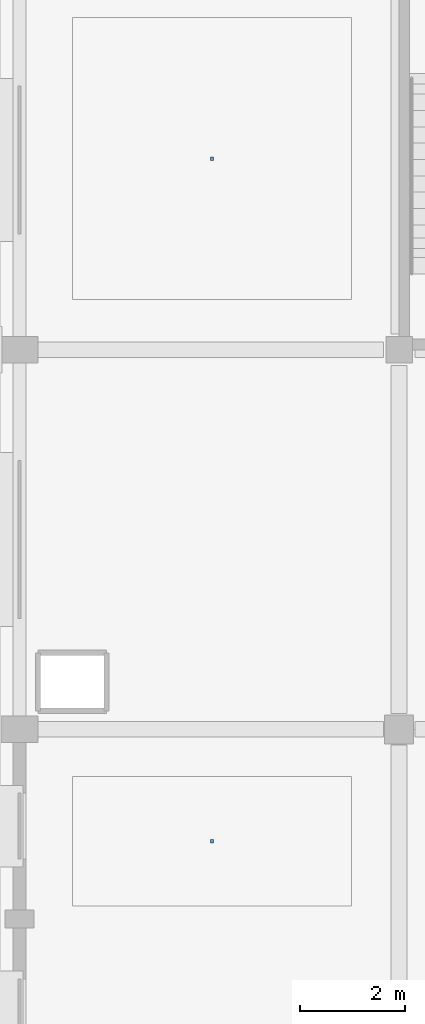
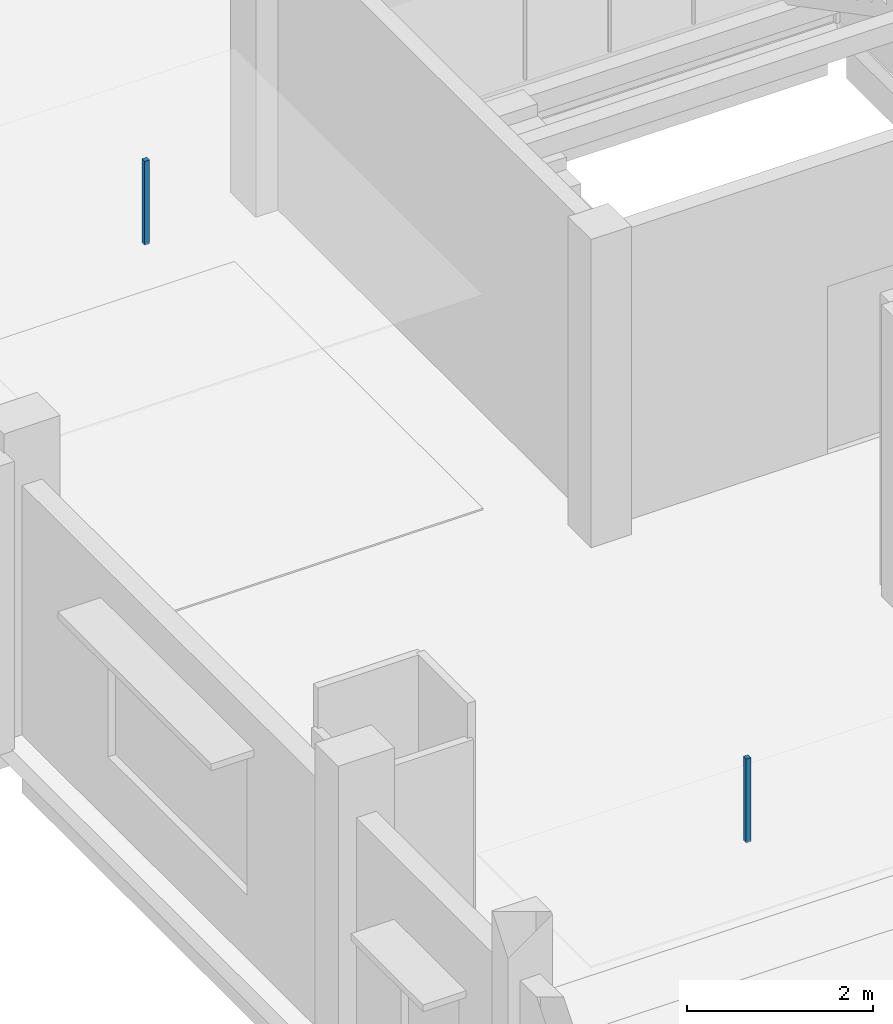
# One storey, part 13 of 15: 2 discrete accessories.
"""IFC4 building model written with IfcOpenShell, lengths in metres."""

import ifcopenshell
import ifcopenshell.guid

model = None  # the IFC model being written
_history = None  # IfcOwnerHistory: only IFC2X3 demands one
_inside = {}  # id of a spatial element -> (the spatial element, [elements in it])
_under = {}  # id of a project, library or spatial element -> (it, [spatial elements below it])
_declared = {}  # id of a project -> (the project, [libraries it declares])
_typed = {}  # id of a type object -> (the type object, [elements of that type])
_made_of = {}  # id of a material, layer set ... -> (it, [elements and type objects made of it])


def new_model(schema):
    """Start an empty IFC model of exactly this schema.

    Asked for "IFC4X3", IfcOpenShell would pick the latest addendum, in which some entities
    have other attributes; the version numbers below select the first issue.
    IFC2X3 requires an IfcOwnerHistory on every rooted entity: one is made here for all.
    """
    global model, _history
    if schema == "IFC4X3":
        model = ifcopenshell.file(schema_version=(4, 3, 0, 0))
    else:
        model = ifcopenshell.file(schema=schema)
    _inside.clear()
    _under.clear()
    _declared.clear()
    _typed.clear()
    _made_of.clear()
    _history = None
    if model.schema == "IFC2X3":
        org = make("IfcOrganization", Name="unknown")
        user = make(
            "IfcPersonAndOrganization",
            ThePerson=make("IfcPerson", FamilyName="unknown"),
            TheOrganization=org,
        )
        app = make(
            "IfcApplication",
            ApplicationDeveloper=org,
            Version="unknown",
            ApplicationFullName="unknown",
            ApplicationIdentifier="unknown",
        )
        _history = make(
            "IfcOwnerHistory",
            OwningUser=user,
            OwningApplication=app,
            ChangeAction="ADDED",
            CreationDate=0,
        )
    return model


def make(cls, **values):
    """One entity of the class cls with the attributes given. An attribute that is None is left unset."""
    return model.create_entity(
        cls, **{name: value for name, value in values.items() if value is not None}
    )


def rooted(cls, **values):
    """An entity with a GlobalId (a new one), such as an element, a storey or a relation."""
    return make(cls, GlobalId=ifcopenshell.guid.new(), OwnerHistory=_history, **values)


def si_unit(unit_type, name, prefix=None):
    """IfcSIUnit, for example si_unit("LENGTHUNIT", "METRE", prefix="MILLI")."""
    return make("IfcSIUnit", UnitType=unit_type, Prefix=prefix, Name=name)


def assignment(units):
    """IfcUnitAssignment: the units of a project."""
    return None if units is None else make("IfcUnitAssignment", Units=units)


def point(xyz):
    """IfcCartesianPoint."""
    return None if xyz is None else make("IfcCartesianPoint", Coordinates=xyz)


def direction(xyz):
    """IfcDirection."""
    return None if xyz is None else make("IfcDirection", DirectionRatios=xyz)


def frame(location, z_axis=None, x_axis=None):
    """IfcAxis2Placement3D, a coordinate frame: its origin and axes. An axis left out is left unset."""
    return make(
        "IfcAxis2Placement3D",
        Location=point(location),
        Axis=direction(z_axis),
        RefDirection=direction(x_axis),
    )


def frame_2d(location, x_axis=None):
    """IfcAxis2Placement2D, a coordinate frame in the plane: its origin and x axis."""
    return make(
        "IfcAxis2Placement2D", Location=point(location), RefDirection=direction(x_axis)
    )


def origin():
    """The frame at (0, 0, 0) with its axes left unset."""
    return frame((0.0, 0.0, 0.0))


def origin_2d():
    """The frame at (0, 0) in the plane with its x axis left unset."""
    return frame_2d((0.0, 0.0))


def place(relative_to, where):
    """IfcLocalPlacement: puts the frame where relative to a parent placement (None: the world)."""
    return make(
        "IfcLocalPlacement", PlacementRelTo=relative_to, RelativePlacement=where
    )


def context(
    kind, dimensions, precision=None, world=None, true_north=None, identifier=None
):
    """IfcGeometricRepresentationContext, for example the 3D "Model" context."""
    return make(
        "IfcGeometricRepresentationContext",
        ContextIdentifier=identifier,
        ContextType=kind,
        CoordinateSpaceDimension=dimensions,
        Precision=precision,
        WorldCoordinateSystem=world,
        TrueNorth=true_north,
    )


def subcontext(parent, identifier, kind, view, scale=None):
    """IfcGeometricRepresentationSubContext, for example "Body" below "Model"."""
    return make(
        "IfcGeometricRepresentationSubContext",
        ContextIdentifier=identifier,
        ContextType=kind,
        ParentContext=parent,
        TargetScale=scale,
        TargetView=view,
    )


def project(units=None, contexts=None):
    """IfcProject with its units and contexts."""
    return rooted(
        "IfcProject",
        Name="project",
        RepresentationContexts=contexts,
        UnitsInContext=assignment(units),
    )


def spatial(cls, under=None, at=None, **own):
    """A site, building, storey or space (cls), placed at a placement, below another one or the project."""
    s = rooted(cls, ObjectPlacement=at, **own)
    if under is not None:
        _under.setdefault(under.id(), (under, []))[1].append(s)
    return s


def profile(cls, at=None, kind="AREA", **sizes):
    """A parametric profile (cls). Its sizes go by their IFC names, for example OverallWidth=200.0."""
    return make(cls, ProfileType=kind, Position=at, **sizes)


def rectangle(**sizes):
    """IfcRectangleProfileDef."""
    return profile("IfcRectangleProfileDef", **sizes)


def extrude(swept, where, along, depth):
    """IfcExtrudedAreaSolid: the profile swept, set in the frame where, extruded along a direction by depth."""
    return make(
        "IfcExtrudedAreaSolid",
        SweptArea=swept,
        Position=where,
        ExtrudedDirection=direction(along),
        Depth=depth,
    )


def shape(context_of_items, identifier, shape_type, items):
    """IfcShapeRepresentation: the items that make up one representation, for example the "Body"."""
    return make(
        "IfcShapeRepresentation",
        ContextOfItems=context_of_items,
        RepresentationIdentifier=identifier,
        RepresentationType=shape_type,
        Items=items,
    )


def material(Name=None, Category=None):
    """IfcMaterial."""
    return make("IfcMaterial", Name=Name, Category=Category)


def made_of(thing, what):
    """Note that an element or type object is made of a material, layer set ...; save() writes the relation."""
    if what is not None:
        _made_of.setdefault(what.id(), (what, []))[1].append(thing)
    return thing


def type_object(cls, material=None, **own):
    """A type object (cls), such as IfcWallType, which elements share."""
    return made_of(rooted(cls, **own), material)


def element(
    cls,
    number,
    at=None,
    inside=None,
    cuts=None,
    type_object=None,
    material=None,
    context=None,
    identifier="Body",
    shape_type=None,
    held_by="IfcProductDefinitionShape",
    body=None,
    shapes=None,
    **own,
):
    """One element of the class cls, such as IfcWall. Its Tag is "e" and its number.

    at: its placement. inside: the storey or other place that contains it. cuts: it is an
    opening in that element (IfcRelVoidsElement). A single representation is given by context,
    identifier, shape_type and body (its items); several are given by shapes. held_by: the class
    of the entity that holds the representations. save() writes the other relations.
    """
    e = rooted(cls, Tag="e%d" % number, ObjectPlacement=at, **own)
    if body is not None:
        shapes = [shape(context, identifier, shape_type, body)]
    if shapes is not None:
        e.Representation = make(held_by, Representations=shapes)
    if inside is not None:
        _inside.setdefault(inside.id(), (inside, []))[1].append(e)
    if cuts is not None:
        rooted(
            "IfcRelVoidsElement", RelatingBuildingElement=cuts, RelatedOpeningElement=e
        )
    if type_object is not None:
        _typed.setdefault(type_object.id(), (type_object, []))[1].append(e)
    return made_of(e, material)


def aggregate(whole, parts):
    """IfcRelAggregates: a whole, such as a stair, and the parts it consists of."""
    return rooted("IfcRelAggregates", RelatingObject=whole, RelatedObjects=parts)


def save(model, path):
    """Write the relations noted so far, then the file.

    IfcRelAggregates (storeys below a building ...), IfcRelContainedInSpatialStructure (elements
    in a storey), IfcRelDefinesByType, IfcRelAssociatesMaterial and IfcRelDeclares: one each for
    every whole, place, type object, material and project.
    """
    for whole, parts in _under.values():
        aggregate(whole, parts)
    for where, things in _inside.values():
        rooted(
            "IfcRelContainedInSpatialStructure",
            RelatedElements=things,
            RelatingStructure=where,
        )
    for kind, things in _typed.values():
        rooted("IfcRelDefinesByType", RelatedObjects=things, RelatingType=kind)
    for what, things in _made_of.values():
        rooted("IfcRelAssociatesMaterial", RelatedObjects=things, RelatingMaterial=what)
    for by, libraries in _declared.values():
        rooted("IfcRelDeclares", RelatingContext=by, RelatedDefinitions=libraries)
    model.write(path)


model = new_model("IFC4")

# Units and contexts
model_context = context("Model", 3, precision=1e-05, world=origin(), true_north=direction((0.0, 1.0)))
body_context = subcontext(model_context, "Body", "Model", "MODEL_VIEW")
ifc_project = project(units=[si_unit("LENGTHUNIT", "METRE"), si_unit("AREAUNIT", "SQUARE_METRE"), si_unit("VOLUMEUNIT", "CUBIC_METRE"), si_unit("PLANEANGLEUNIT", "RADIAN"), si_unit("MASSUNIT", "GRAM", prefix="KILO")], contexts=[model_context])

# Site, building, storey
site_placement = place(None, origin())
site = spatial("IfcSite", under=ifc_project, at=site_placement, CompositionType="ELEMENT")
building_placement = place(site_placement, origin())
building = spatial("IfcBuilding", under=site, at=building_placement, Name="Kangsadwip Square Police Headquarters", CompositionType="ELEMENT")
storey_placement = place(building_placement, frame((0.0, 0.0, 29.699951171875)))
storey = spatial("IfcBuildingStorey", under=building, at=storey_placement, Name="L07", CompositionType="ELEMENT", Elevation=29.699951171875)

# Discrete accessories
ifc_material = material(Name="Structural steel IS 2062 E350 (Grade 350, 350 MPa)", Category="steel")
discrete_accessory_type = type_object("IfcDiscreteAccessoryType", Name="VeilOutriggerBracket", PredefinedType="BRACKET", material=ifc_material)
for number, where, z_axis, x_axis, name in (
    (1, (3.64990234375, 62.675048828125, 2.81005859375), (0.0, 0.0, 1.0), (1.0, 0.0, 0.0), "Ceiling Suspension Hanger L07-164"),
    (2, (3.64990234375, 75.625, 2.81005859375), (0.0, 0.0, 1.0), (1.0, 0.0, 0.0), "Ceiling Suspension Hanger L07-165"),
):
    element("IfcDiscreteAccessory", number, at=place(storey_placement, frame(where, z_axis=z_axis, x_axis=x_axis)), inside=storey, type_object=discrete_accessory_type, Name=name, PredefinedType="BRACKET", context=body_context, shape_type="SweptSolid", body=[
        extrude(rectangle(XDim=0.06005859375, YDim=0.06005859375, at=origin_2d()), origin(), (0.0, 0.0, 1.0), 1.10009765625),
    ])

save(model, "model.ifc")
